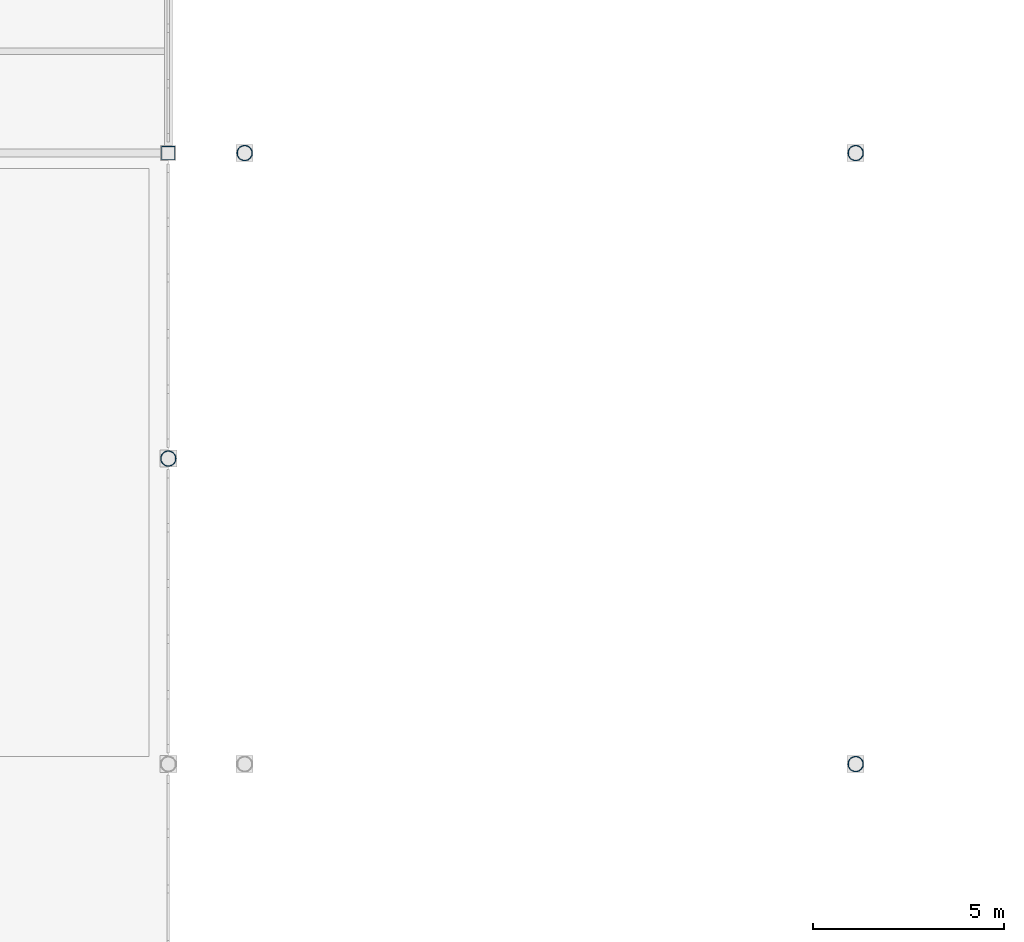
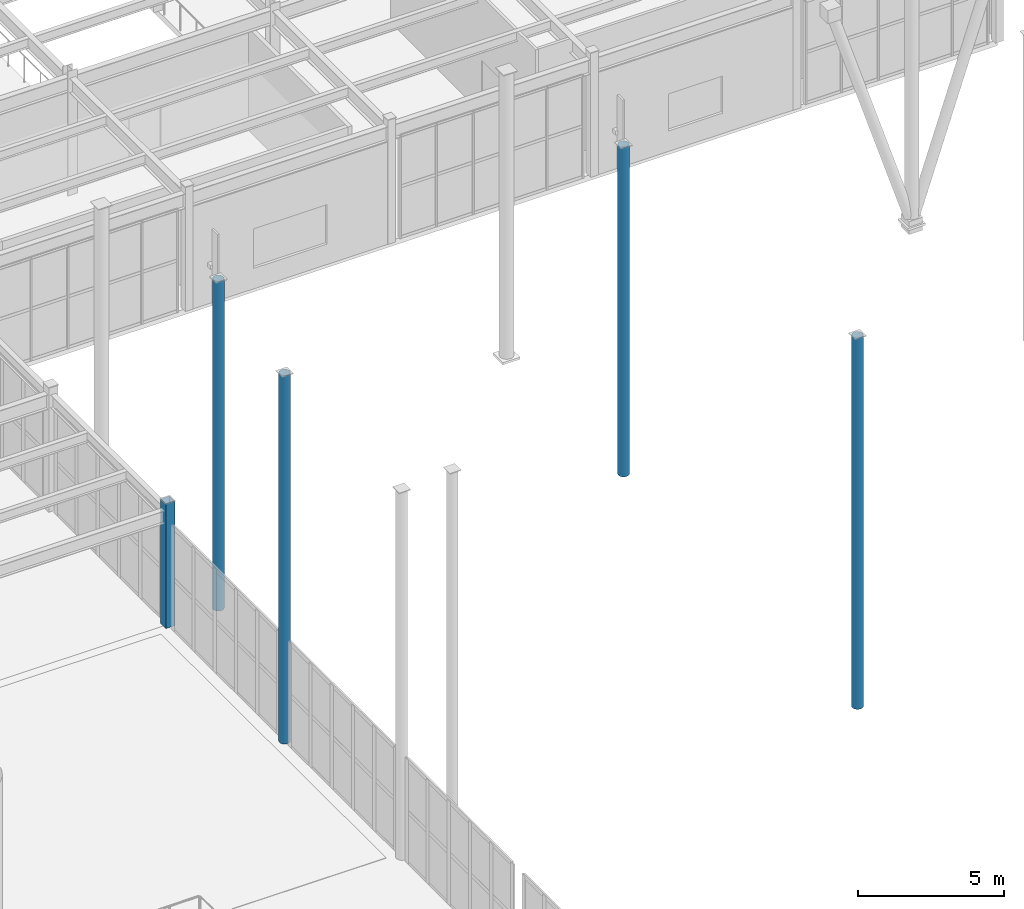
# One storey, part 7 of 77: 5 columns.
"""IFC4 building model written with IfcOpenShell, lengths in metres."""

from ifc_helpers import new_model, si_unit, direction, frame, origin, origin_2d, place, context, subcontext, project, spatial, hollow_rectangle, hollow_circle, extrude, material, material_profile, profile_set, type_object, element, save


model = new_model("IFC4")

# Units and contexts
model_context = context("Model", 3, precision=1e-05, world=origin(), true_north=direction((0.0, 1.0)))
body_context = subcontext(model_context, "Body", "Model", "MODEL_VIEW")
ifc_project = project(units=[si_unit("LENGTHUNIT", "METRE"), si_unit("AREAUNIT", "SQUARE_METRE"), si_unit("VOLUMEUNIT", "CUBIC_METRE"), si_unit("PLANEANGLEUNIT", "RADIAN"), si_unit("MASSUNIT", "GRAM", prefix="KILO")], contexts=[model_context])

# Site, building, storey
site_placement = place(None, origin())
site = spatial("IfcSite", under=ifc_project, at=site_placement, CompositionType="ELEMENT")
building_placement = place(site_placement, origin())
building = spatial("IfcBuilding", under=site, at=building_placement, Name="Drelvath Fold Interchange", CompositionType="ELEMENT")
storey_placement = place(building_placement, frame((0.0, 0.0, 6.0)))
storey = spatial("IfcBuildingStorey", under=building, at=storey_placement, Name="L01", CompositionType="ELEMENT", Elevation=6.0)

# Columns
ifc_material = material(Name="Steel ASTM A500 Grade C", Category="steel")
ifc_material_profile_1 = material_profile(ifc_material, hollow_circle(Radius=0.202880859375, WallThickness=0.014892578125, at=origin_2d()), Name="HSS16.000X0.625")
ifc_profile_set_1 = profile_set([ifc_material_profile_1], Name="Steel ASTM A500 Grade C")
column_type_1 = type_object("IfcColumnType", Name="COL-CHS406", PredefinedType="COLUMN", material=ifc_profile_set_1)
column_1_placement = place(storey_placement, frame((100.0, 51.0, 0.0), z_axis=(0.0, 0.0, 1.0), x_axis=(1.0, 0.0, 0.0)))
element("IfcColumn", 1, at=column_1_placement, inside=storey, type_object=column_type_1, Name="L01 column (100,51)", PredefinedType="COLUMN", context=body_context, shape_type="SweptSolid", body=[
    extrude(hollow_circle(Radius=0.202880859375, WallThickness=0.014892578125, at=origin_2d()), origin(), (0.0, 0.0, 1.0), 15.376953125),
])
column_2_placement = place(storey_placement, frame((102.0, 59.0, 0.0), z_axis=(0.0, 0.0, 1.0), x_axis=(1.0, 0.0, 0.0)))
element("IfcColumn", 2, at=column_2_placement, inside=storey, type_object=column_type_1, Name="L01 column (102,59)", PredefinedType="COLUMN", context=body_context, shape_type="SweptSolid", body=[
    extrude(hollow_circle(Radius=0.202880859375, WallThickness=0.014892578125, at=origin_2d()), origin(), (0.0, 0.0, 1.0), 13.7529296875),
])
column_3_placement = place(storey_placement, frame((118.0, 43.0, 0.0), z_axis=(0.0, 0.0, 1.0), x_axis=(1.0, 0.0, 0.0)))
element("IfcColumn", 3, at=column_3_placement, inside=storey, type_object=column_type_1, Name="L01 column (118,43)", PredefinedType="COLUMN", context=body_context, shape_type="SweptSolid", body=[
    extrude(hollow_circle(Radius=0.202880859375, WallThickness=0.014892578125, at=origin_2d()), origin(), (0.0, 0.0, 1.0), 15.4970703125),
])
column_4_placement = place(storey_placement, frame((118.0, 59.0, 0.0), z_axis=(0.0, 0.0, 1.0), x_axis=(1.0, 0.0, 0.0)))
element("IfcColumn", 4, at=column_4_placement, inside=storey, type_object=column_type_1, Name="L01 column (118,59)", PredefinedType="COLUMN", context=body_context, shape_type="SweptSolid", body=[
    extrude(hollow_circle(Radius=0.202880859375, WallThickness=0.014892578125, at=origin_2d()), origin(), (0.0, 0.0, 1.0), 13.7529296875),
])
ifc_material_profile_2 = material_profile(ifc_material, hollow_rectangle(XDim=0.35595703125, YDim=0.35595703125, WallThickness=0.014892578125, at=origin_2d()), Name="HSS14X14X5/8")
ifc_profile_set_2 = profile_set([ifc_material_profile_2], Name="Steel ASTM A500 Grade C")
column_type_2 = type_object("IfcColumnType", Name="COL-HSS356", PredefinedType="COLUMN", material=ifc_profile_set_2)
column_5_placement = place(storey_placement, frame((100.0, 59.0, 0.0), z_axis=(0.0, 0.0, 1.0), x_axis=(1.0, 0.0, 0.0)))
element("IfcColumn", 5, at=column_5_placement, inside=storey, type_object=column_type_2, Name="L01 column (100,59)", PredefinedType="COLUMN", context=body_context, shape_type="SweptSolid", body=[
    extrude(hollow_rectangle(XDim=0.35595703125, YDim=0.35595703125, WallThickness=0.014892578125, at=origin_2d()), origin(), (0.0, 0.0, 1.0), 5.199951171875),
])

save(model, "model.ifc")
